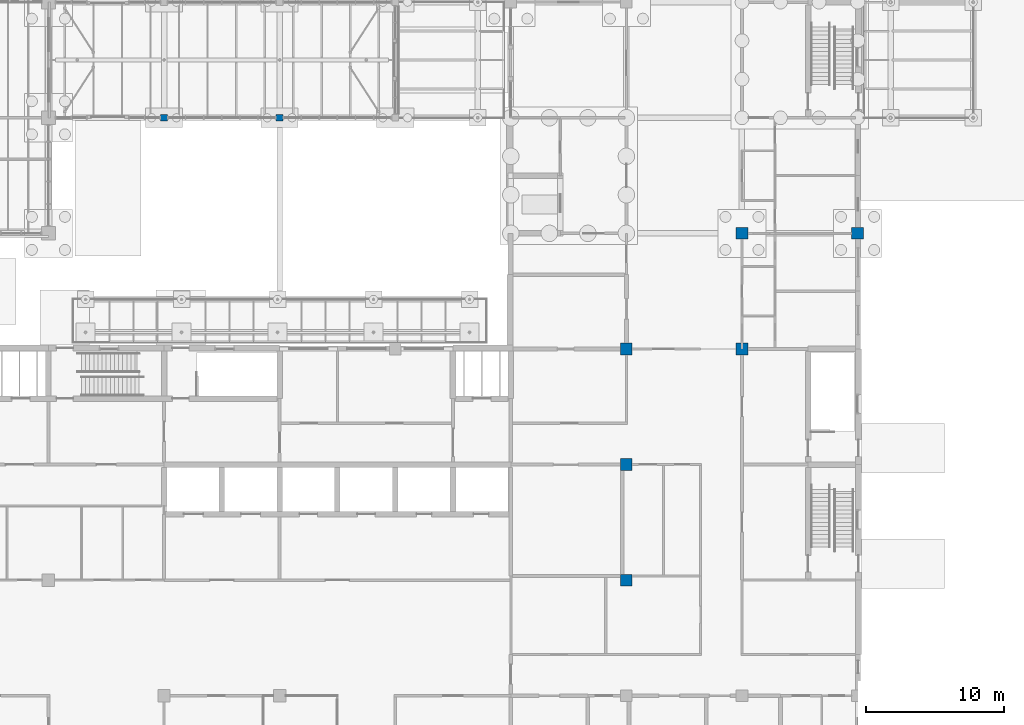
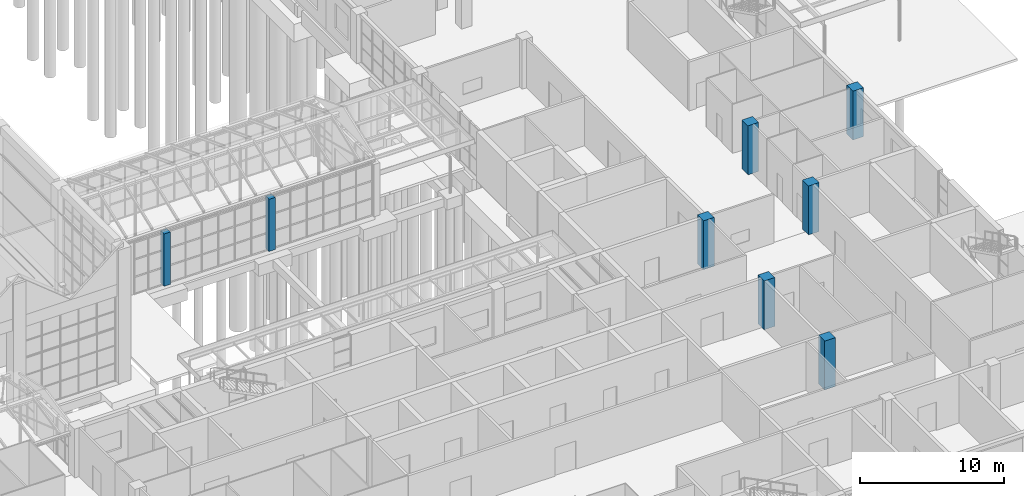
# One storey, part 21 of 138: 8 columns.
"""IFC4 building model written with IfcOpenShell, lengths in metres."""

from ifc_helpers import new_model, si_unit, direction, frame, origin, origin_2d, place, context, subcontext, project, spatial, rectangle, extrude, material, material_profile, profile_set, type_object, element, save


model = new_model("IFC4")

# Units and contexts
model_context = context("Model", 3, precision=1e-05, world=origin(), true_north=direction((0.0, 1.0)))
body_context = subcontext(model_context, "Body", "Model", "MODEL_VIEW")
ifc_project = project(units=[si_unit("LENGTHUNIT", "METRE"), si_unit("AREAUNIT", "SQUARE_METRE"), si_unit("VOLUMEUNIT", "CUBIC_METRE"), si_unit("PLANEANGLEUNIT", "RADIAN"), si_unit("MASSUNIT", "GRAM", prefix="KILO")], contexts=[model_context])

# Site, building, storey
site_placement = place(None, origin())
site = spatial("IfcSite", under=ifc_project, at=site_placement, CompositionType="ELEMENT")
building_placement = place(site_placement, origin())
building = spatial("IfcBuilding", under=site, at=building_placement, Name="Yavir Park General Hospital", CompositionType="ELEMENT")
storey_placement = place(building_placement, origin())
storey = spatial("IfcBuildingStorey", under=building, at=storey_placement, Name="L00", CompositionType="ELEMENT", Elevation=0.0)

# Columns
ifc_material_1 = material(Name="Concrete C40/50", Category="concrete")
ifc_material_profile_1 = material_profile(ifc_material_1, rectangle(XDim=0.5, YDim=0.5, at=origin_2d()), Name="RC500x500")
ifc_profile_set_1 = profile_set([ifc_material_profile_1], Name="Concrete C40/50")
column_type_1 = type_object("IfcColumnType", Name="RC COLUMN 500x500", PredefinedType="COLUMN", material=ifc_profile_set_1)
for number, where, z_axis, x_axis, name in (
    (1, (117.60009765625, 50.39990234375, 0.0), (0.0, 0.0, 1.0), (1.0, 0.0, 0.0), "C:L00:15G"),
    (2, (126.0, 50.39990234375, 0.0), (0.0, 0.0, 1.0), (1.0, 0.0, 0.0), "C:L00:16G"),
):
    element("IfcColumn", number, at=place(storey_placement, frame(where, z_axis=z_axis, x_axis=x_axis)), inside=storey, type_object=column_type_1, Name=name, PredefinedType="COLUMN", context=body_context, shape_type="SweptSolid", body=[
        extrude(rectangle(XDim=0.5, YDim=0.5, at=origin_2d()), origin(), (0.0, 0.0, 1.0), 4.425048828125),
    ])
ifc_material_2 = material(Name="Concrete C40/50", Category="concrete")
ifc_material_profile_2 = material_profile(ifc_material_2, rectangle(XDim=0.85009765625, YDim=0.85009765625, at=origin_2d()), Name="RC850x850")
ifc_profile_set_2 = profile_set([ifc_material_profile_2], Name="Concrete C40/50")
column_type_2 = type_object("IfcColumnType", Name="RC COLUMN 850x850", PredefinedType="COLUMN", material=ifc_profile_set_2)
for number, where, z_axis, x_axis, name in (
    (3, (151.199951171875, 16.800048828125, 0.0), (0.0, 0.0, 1.0), (1.0, 0.0, 0.0), "C:L00:19C"),
    (4, (151.199951171875, 25.199951171875, 0.0), (0.0, 0.0, 1.0), (1.0, 0.0, 0.0), "C:L00:19D"),
    (5, (151.199951171875, 33.60009765625, 0.0), (0.0, 0.0, 1.0), (1.0, 0.0, 0.0), "C:L00:19E"),
    (6, (159.60009765625, 42.0, 0.0), (0.0, 0.0, 1.0), (1.0, 0.0, 0.0), "C:L00:20F"),
    (7, (168.0, 42.0, 0.0), (0.0, 0.0, 1.0), (1.0, 0.0, 0.0), "C:L00:21F"),
    (8, (159.60009765625, 33.60009765625, 0.0), (0.0, 0.0, 1.0), (1.0, 0.0, 0.0), "C:L00:20E"),
):
    element("IfcColumn", number, at=place(storey_placement, frame(where, z_axis=z_axis, x_axis=x_axis)), inside=storey, type_object=column_type_2, Name=name, PredefinedType="COLUMN", context=body_context, shape_type="SweptSolid", body=[
        extrude(rectangle(XDim=0.85009765625, YDim=0.85009765625, at=origin_2d()), origin(), (0.0, 0.0, 1.0), 4.139892578125),
    ])

save(model, "model.ifc")
